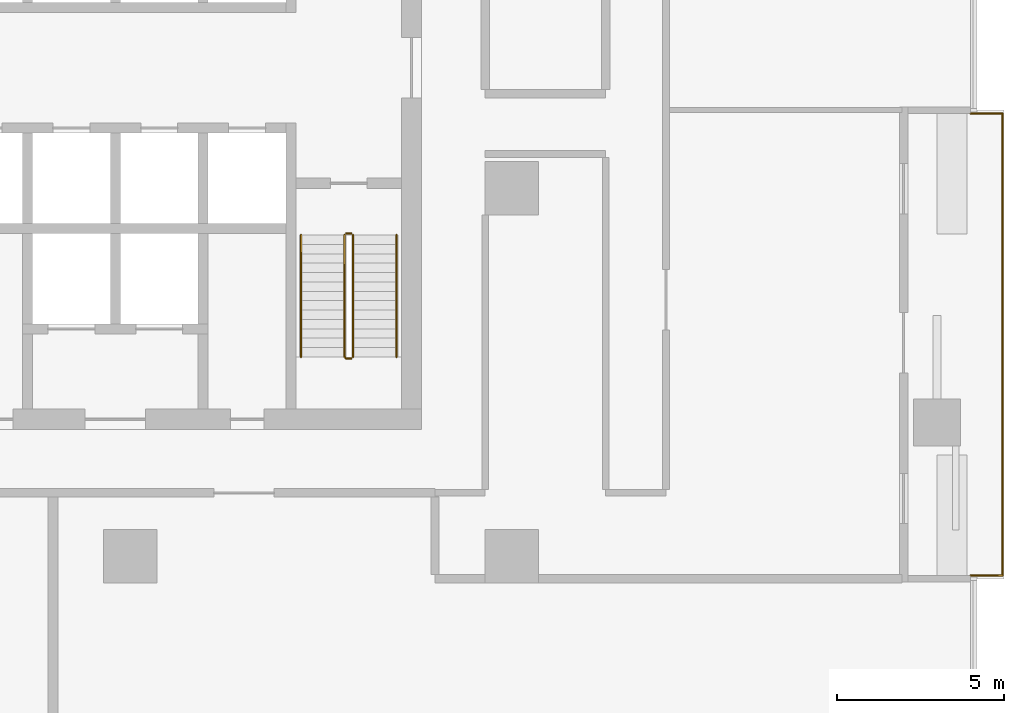
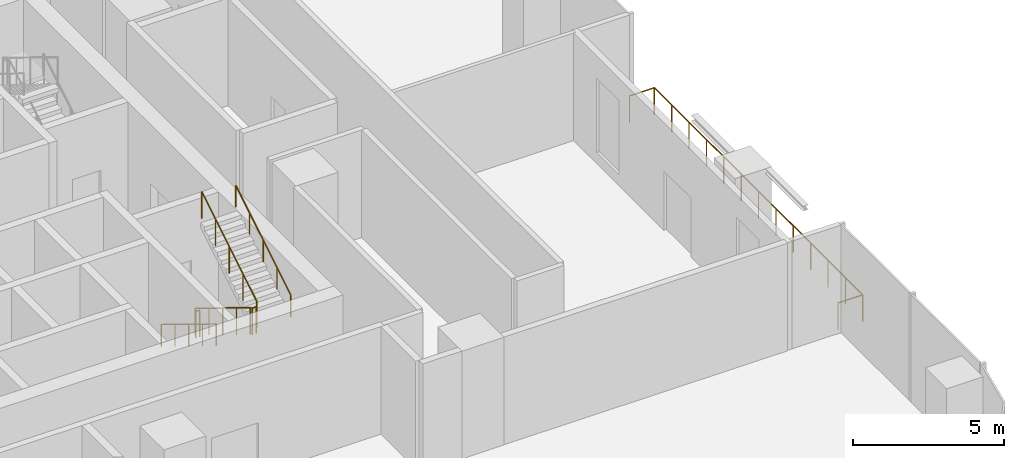
# One storey, part 13 of 14: 6 railings.
"""IFC4 building model written with IfcOpenShell, lengths in metres."""

import ifcopenshell
import ifcopenshell.guid

model = None  # the IFC model being written
_history = None  # IfcOwnerHistory: only IFC2X3 demands one
_inside = {}  # id of a spatial element -> (the spatial element, [elements in it])
_under = {}  # id of a project, library or spatial element -> (it, [spatial elements below it])
_declared = {}  # id of a project -> (the project, [libraries it declares])
_typed = {}  # id of a type object -> (the type object, [elements of that type])
_made_of = {}  # id of a material, layer set ... -> (it, [elements and type objects made of it])


def new_model(schema):
    """Start an empty IFC model of exactly this schema.

    Asked for "IFC4X3", IfcOpenShell would pick the latest addendum, in which some entities
    have other attributes; the version numbers below select the first issue.
    IFC2X3 requires an IfcOwnerHistory on every rooted entity: one is made here for all.
    """
    global model, _history
    if schema == "IFC4X3":
        model = ifcopenshell.file(schema_version=(4, 3, 0, 0))
    else:
        model = ifcopenshell.file(schema=schema)
    _inside.clear()
    _under.clear()
    _declared.clear()
    _typed.clear()
    _made_of.clear()
    _history = None
    if model.schema == "IFC2X3":
        org = make("IfcOrganization", Name="unknown")
        user = make(
            "IfcPersonAndOrganization",
            ThePerson=make("IfcPerson", FamilyName="unknown"),
            TheOrganization=org,
        )
        app = make(
            "IfcApplication",
            ApplicationDeveloper=org,
            Version="unknown",
            ApplicationFullName="unknown",
            ApplicationIdentifier="unknown",
        )
        _history = make(
            "IfcOwnerHistory",
            OwningUser=user,
            OwningApplication=app,
            ChangeAction="ADDED",
            CreationDate=0,
        )
    return model


def make(cls, **values):
    """One entity of the class cls with the attributes given. An attribute that is None is left unset."""
    return model.create_entity(
        cls, **{name: value for name, value in values.items() if value is not None}
    )


def rooted(cls, **values):
    """An entity with a GlobalId (a new one), such as an element, a storey or a relation."""
    return make(cls, GlobalId=ifcopenshell.guid.new(), OwnerHistory=_history, **values)


def si_unit(unit_type, name, prefix=None):
    """IfcSIUnit, for example si_unit("LENGTHUNIT", "METRE", prefix="MILLI")."""
    return make("IfcSIUnit", UnitType=unit_type, Prefix=prefix, Name=name)


def assignment(units):
    """IfcUnitAssignment: the units of a project."""
    return None if units is None else make("IfcUnitAssignment", Units=units)


def point(xyz):
    """IfcCartesianPoint."""
    return None if xyz is None else make("IfcCartesianPoint", Coordinates=xyz)


def direction(xyz):
    """IfcDirection."""
    return None if xyz is None else make("IfcDirection", DirectionRatios=xyz)


def frame(location, z_axis=None, x_axis=None):
    """IfcAxis2Placement3D, a coordinate frame: its origin and axes. An axis left out is left unset."""
    return make(
        "IfcAxis2Placement3D",
        Location=point(location),
        Axis=direction(z_axis),
        RefDirection=direction(x_axis),
    )


def frame_2d(location, x_axis=None):
    """IfcAxis2Placement2D, a coordinate frame in the plane: its origin and x axis."""
    return make(
        "IfcAxis2Placement2D", Location=point(location), RefDirection=direction(x_axis)
    )


def origin():
    """The frame at (0, 0, 0) with its axes left unset."""
    return frame((0.0, 0.0, 0.0))


def origin_2d():
    """The frame at (0, 0) in the plane with its x axis left unset."""
    return frame_2d((0.0, 0.0))


def place(relative_to, where):
    """IfcLocalPlacement: puts the frame where relative to a parent placement (None: the world)."""
    return make(
        "IfcLocalPlacement", PlacementRelTo=relative_to, RelativePlacement=where
    )


def context(
    kind, dimensions, precision=None, world=None, true_north=None, identifier=None
):
    """IfcGeometricRepresentationContext, for example the 3D "Model" context."""
    return make(
        "IfcGeometricRepresentationContext",
        ContextIdentifier=identifier,
        ContextType=kind,
        CoordinateSpaceDimension=dimensions,
        Precision=precision,
        WorldCoordinateSystem=world,
        TrueNorth=true_north,
    )


def subcontext(parent, identifier, kind, view, scale=None):
    """IfcGeometricRepresentationSubContext, for example "Body" below "Model"."""
    return make(
        "IfcGeometricRepresentationSubContext",
        ContextIdentifier=identifier,
        ContextType=kind,
        ParentContext=parent,
        TargetScale=scale,
        TargetView=view,
    )


def project(units=None, contexts=None):
    """IfcProject with its units and contexts."""
    return rooted(
        "IfcProject",
        Name="project",
        RepresentationContexts=contexts,
        UnitsInContext=assignment(units),
    )


def spatial(cls, under=None, at=None, **own):
    """A site, building, storey or space (cls), placed at a placement, below another one or the project."""
    s = rooted(cls, ObjectPlacement=at, **own)
    if under is not None:
        _under.setdefault(under.id(), (under, []))[1].append(s)
    return s


def profile(cls, at=None, kind="AREA", **sizes):
    """A parametric profile (cls). Its sizes go by their IFC names, for example OverallWidth=200.0."""
    return make(cls, ProfileType=kind, Position=at, **sizes)


def circle(**sizes):
    """IfcCircleProfileDef."""
    return profile("IfcCircleProfileDef", **sizes)


def extrude(swept, where, along, depth):
    """IfcExtrudedAreaSolid: the profile swept, set in the frame where, extruded along a direction by depth."""
    return make(
        "IfcExtrudedAreaSolid",
        SweptArea=swept,
        Position=where,
        ExtrudedDirection=direction(along),
        Depth=depth,
    )


def shape(context_of_items, identifier, shape_type, items):
    """IfcShapeRepresentation: the items that make up one representation, for example the "Body"."""
    return make(
        "IfcShapeRepresentation",
        ContextOfItems=context_of_items,
        RepresentationIdentifier=identifier,
        RepresentationType=shape_type,
        Items=items,
    )


def material(Name=None, Category=None):
    """IfcMaterial."""
    return make("IfcMaterial", Name=Name, Category=Category)


def made_of(thing, what):
    """Note that an element or type object is made of a material, layer set ...; save() writes the relation."""
    if what is not None:
        _made_of.setdefault(what.id(), (what, []))[1].append(thing)
    return thing


def type_object(cls, material=None, **own):
    """A type object (cls), such as IfcWallType, which elements share."""
    return made_of(rooted(cls, **own), material)


def element(
    cls,
    number,
    at=None,
    inside=None,
    cuts=None,
    type_object=None,
    material=None,
    context=None,
    identifier="Body",
    shape_type=None,
    held_by="IfcProductDefinitionShape",
    body=None,
    shapes=None,
    **own,
):
    """One element of the class cls, such as IfcWall. Its Tag is "e" and its number.

    at: its placement. inside: the storey or other place that contains it. cuts: it is an
    opening in that element (IfcRelVoidsElement). A single representation is given by context,
    identifier, shape_type and body (its items); several are given by shapes. held_by: the class
    of the entity that holds the representations. save() writes the other relations.
    """
    e = rooted(cls, Tag="e%d" % number, ObjectPlacement=at, **own)
    if body is not None:
        shapes = [shape(context, identifier, shape_type, body)]
    if shapes is not None:
        e.Representation = make(held_by, Representations=shapes)
    if inside is not None:
        _inside.setdefault(inside.id(), (inside, []))[1].append(e)
    if cuts is not None:
        rooted(
            "IfcRelVoidsElement", RelatingBuildingElement=cuts, RelatedOpeningElement=e
        )
    if type_object is not None:
        _typed.setdefault(type_object.id(), (type_object, []))[1].append(e)
    return made_of(e, material)


def aggregate(whole, parts):
    """IfcRelAggregates: a whole, such as a stair, and the parts it consists of."""
    return rooted("IfcRelAggregates", RelatingObject=whole, RelatedObjects=parts)


def save(model, path):
    """Write the relations noted so far, then the file.

    IfcRelAggregates (storeys below a building ...), IfcRelContainedInSpatialStructure (elements
    in a storey), IfcRelDefinesByType, IfcRelAssociatesMaterial and IfcRelDeclares: one each for
    every whole, place, type object, material and project.
    """
    for whole, parts in _under.values():
        aggregate(whole, parts)
    for where, things in _inside.values():
        rooted(
            "IfcRelContainedInSpatialStructure",
            RelatedElements=things,
            RelatingStructure=where,
        )
    for kind, things in _typed.values():
        rooted("IfcRelDefinesByType", RelatedObjects=things, RelatingType=kind)
    for what, things in _made_of.values():
        rooted("IfcRelAssociatesMaterial", RelatedObjects=things, RelatingMaterial=what)
    for by, libraries in _declared.values():
        rooted("IfcRelDeclares", RelatingContext=by, RelatedDefinitions=libraries)
    model.write(path)


model = new_model("IFC4")

# Units and contexts
model_context = context("Model", 3, precision=1e-05, world=origin(), true_north=direction((0.0, 1.0)))
body_context = subcontext(model_context, "Body", "Model", "MODEL_VIEW")
ifc_project = project(units=[si_unit("LENGTHUNIT", "METRE"), si_unit("AREAUNIT", "SQUARE_METRE"), si_unit("VOLUMEUNIT", "CUBIC_METRE"), si_unit("PLANEANGLEUNIT", "RADIAN"), si_unit("MASSUNIT", "GRAM", prefix="KILO")], contexts=[model_context])

# Site, building, storey
site_placement = place(None, origin())
site = spatial("IfcSite", under=ifc_project, at=site_placement, CompositionType="ELEMENT")
building_placement = place(site_placement, origin())
building = spatial("IfcBuilding", under=site, at=building_placement, Name="Mopane Tessera Tower", CompositionType="ELEMENT")
storey_placement = place(building_placement, frame((0.0, 0.0, 35.800048828125)))
storey = spatial("IfcBuildingStorey", under=building, at=storey_placement, Name="L06", CompositionType="ELEMENT", Elevation=35.800048828125)

# Railings
ifc_material_1 = material(Name="Powder-coated steel balustrade", Category="steel")
railing_type_1 = type_object("IfcRailingType", Name="Escape stair guard 1100 mm", PredefinedType="GUARDRAIL", material=ifc_material_1)
railing_1_placement = place(storey_placement, frame((12.10009765625, -1.39990234375, 0.17138671875)))
element("IfcRailing", 1, at=railing_1_placement, inside=storey, type_object=railing_type_1, Name="L06 ST3 stair guard 1", PredefinedType="GUARDRAIL", context=body_context, shape_type="SweptSolid", body=[
    extrude(circle(Radius=0.02392578125, at=origin_2d()), frame((0.0, 0.0, 1.076171875), z_axis=(0.0, -0.852865859571, 0.52213008492), x_axis=(1.0, 0.0, 0.0)), (0.0, 0.0, 1.0), 4.26806640625),
    extrude(circle(Radius=0.02392578125, at=origin_2d()), frame((0.0, -3.64013671875, 3.3046875), z_axis=(0.705375805398, -0.708833529934, 0.0), x_axis=(0.708833529934, 0.705375805398, 0.0)), (0.0, 0.0, 1.0), 0.070556640625),
    extrude(circle(Radius=0.02392578125, at=origin_2d()), frame((0.0498046875, -3.690185546875, 3.3046875), z_axis=(1.0, 0.0, 0.0), x_axis=(0.0, 1.0, 0.0)), (0.0, 0.0, 1.0), 0.150146484375),
    extrude(circle(Radius=0.02099609375, at=origin_2d()), origin(), (0.0, 0.0, 1.0), 1.052001953125),
    extrude(circle(Radius=0.02099609375, at=origin_2d()), frame((0.0, -0.91015625, 0.55712890625)), (0.0, 0.0, 1.0), 1.052001953125),
    extrude(circle(Radius=0.02099609375, at=origin_2d()), frame((0.0, -1.820068359375, 1.1142578125)), (0.0, 0.0, 1.0), 1.052001953125),
    extrude(circle(Radius=0.02099609375, at=origin_2d()), frame((0.0, -2.72998046875, 1.67138671875)), (0.0, 0.0, 1.0), 1.052001953125),
    extrude(circle(Radius=0.02099609375, at=origin_2d()), frame((0.0, -3.64013671875, 2.228515625)), (0.0, 0.0, 1.0), 1.052001953125),
    extrude(circle(Radius=0.02099609375, at=origin_2d()), frame((0.0498046875, -3.690185546875, 2.228515625)), (0.0, 0.0, 1.0), 1.052001953125),
    extrude(circle(Radius=0.02099609375, at=origin_2d()), frame((0.199951171875, -3.690185546875, 2.228515625)), (0.0, 0.0, 1.0), 1.052001953125),
])
railing_2_placement = place(storey_placement, frame((12.35009765625, -5.0400390625, 2.5712890625)))
element("IfcRailing", 2, at=railing_2_placement, inside=storey, type_object=railing_type_1, Name="L06 ST3 stair guard 2", PredefinedType="GUARDRAIL", context=body_context, shape_type="SweptSolid", body=[
    extrude(circle(Radius=0.02392578125, at=origin_2d()), frame((0.0, 0.0, 1.076171875), z_axis=(0.0, 0.852840387347, 0.522171689878), x_axis=(-1.0, 0.0, 0.0)), (0.0, 0.0, 1.0), 4.268310546875),
    extrude(circle(Radius=0.02099609375, at=origin_2d()), origin(), (0.0, 0.0, 1.0), 1.052001953125),
    extrude(circle(Radius=0.02099609375, at=origin_2d()), frame((0.0, 0.91015625, 0.55712890625)), (0.0, 0.0, 1.0), 1.052001953125),
    extrude(circle(Radius=0.02099609375, at=origin_2d()), frame((0.0, 1.820068359375, 1.1142578125)), (0.0, 0.0, 1.0), 1.052001953125),
    extrude(circle(Radius=0.02099609375, at=origin_2d()), frame((0.0, 2.72998046875, 1.671630859375)), (0.0, 0.0, 1.0), 1.052001953125),
    extrude(circle(Radius=0.02099609375, at=origin_2d()), frame((0.0, 3.64013671875, 2.228759765625)), (0.0, 0.0, 1.0), 1.052001953125),
])
railing_3_placement = place(storey_placement, frame((12.14990234375, -1.35009765625, 0.0)))
element("IfcRailing", 3, at=railing_3_placement, inside=storey, type_object=railing_type_1, Name="L06 ST3 stair guard 3", PredefinedType="GUARDRAIL", context=body_context, shape_type="SweptSolid", body=[
    extrude(circle(Radius=0.02392578125, at=origin_2d()), frame((0.0, 0.0, 1.076171875), z_axis=(1.0, 0.0, 0.0), x_axis=(0.0, 1.0, 0.0)), (0.0, 0.0, 1.0), 0.150146484375),
    extrude(circle(Radius=0.02099609375, at=origin_2d()), origin(), (0.0, 0.0, 1.0), 1.052001953125),
    extrude(circle(Radius=0.02099609375, at=origin_2d()), frame((0.150146484375, 0.0, 0.0)), (0.0, 0.0, 1.0), 1.052001953125),
])
ifc_material_2 = material(Name="Powder-coated steel balustrade", Category="steel")
railing_type_2 = type_object("IfcRailingType", Name="Escape stair handrail 900 mm", PredefinedType="HANDRAIL", material=ifc_material_2)
railing_4_placement = place(storey_placement, frame((10.800048828125, -1.39990234375, 0.17138671875)))
element("IfcRailing", 4, at=railing_4_placement, inside=storey, type_object=railing_type_2, Name="L06 ST3 stair handrail 1", PredefinedType="HANDRAIL", context=body_context, shape_type="SweptSolid", body=[
    extrude(circle(Radius=0.02392578125, at=origin_2d()), frame((0.0, 0.0, 0.8759765625), z_axis=(0.0, -0.852865859571, 0.52213008492), x_axis=(1.0, 0.0, 0.0)), (0.0, 0.0, 1.0), 4.26806640625),
    extrude(circle(Radius=0.02099609375, at=origin_2d()), origin(), (0.0, 0.0, 1.0), 0.851806640625),
    extrude(circle(Radius=0.02099609375, at=origin_2d()), frame((0.0, -0.91015625, 0.55712890625)), (0.0, 0.0, 1.0), 0.851806640625),
    extrude(circle(Radius=0.02099609375, at=origin_2d()), frame((0.0, -1.820068359375, 1.1142578125)), (0.0, 0.0, 1.0), 0.851806640625),
    extrude(circle(Radius=0.02099609375, at=origin_2d()), frame((0.0, -2.72998046875, 1.67138671875)), (0.0, 0.0, 1.0), 0.851806640625),
    extrude(circle(Radius=0.02099609375, at=origin_2d()), frame((0.0, -3.64013671875, 2.228515625)), (0.0, 0.0, 1.0), 0.851806640625),
])
railing_5_placement = place(storey_placement, frame((13.64990234375, -5.0400390625, 2.5712890625)))
element("IfcRailing", 5, at=railing_5_placement, inside=storey, type_object=railing_type_2, Name="L06 ST3 stair handrail 2", PredefinedType="HANDRAIL", context=body_context, shape_type="SweptSolid", body=[
    extrude(circle(Radius=0.02392578125, at=origin_2d()), frame((0.0, 0.0, 0.8759765625), z_axis=(0.0, 0.852840387347, 0.522171689878), x_axis=(-1.0, 0.0, 0.0)), (0.0, 0.0, 1.0), 4.268310546875),
    extrude(circle(Radius=0.02099609375, at=origin_2d()), origin(), (0.0, 0.0, 1.0), 0.851806640625),
    extrude(circle(Radius=0.02099609375, at=origin_2d()), frame((0.0, 0.91015625, 0.55712890625)), (0.0, 0.0, 1.0), 0.851806640625),
    extrude(circle(Radius=0.02099609375, at=origin_2d()), frame((0.0, 1.820068359375, 1.1142578125)), (0.0, 0.0, 1.0), 0.851806640625),
    extrude(circle(Radius=0.02099609375, at=origin_2d()), frame((0.0, 2.72998046875, 1.671630859375)), (0.0, 0.0, 1.0), 0.851806640625),
    extrude(circle(Radius=0.02099609375, at=origin_2d()), frame((0.0, 3.64013671875, 2.228759765625)), (0.0, 0.0, 1.0), 0.851806640625),
])
ifc_material_3 = material(Name="Stainless steel S316", Category="steel")
railing_type_3 = type_object("IfcRailingType", Name="Terrace guard 1100", PredefinedType="GUARDRAIL", material=ifc_material_3)
railing_6_placement = place(storey_placement, frame((30.800048828125, -11.566650390625, 0.0)))
element("IfcRailing", 6, at=railing_6_placement, inside=storey, type_object=railing_type_3, Name="e:nw:L06:N1:guard", PredefinedType="GUARDRAIL", context=body_context, shape_type="SweptSolid", body=[
    extrude(circle(Radius=0.02392578125, at=origin_2d()), frame((0.0, 0.0, 1.076171875), z_axis=(1.0, 0.0, 0.0), x_axis=(0.0, 1.0, 0.0)), (0.0, 0.0, 1.0), 0.949951171875),
    extrude(circle(Radius=0.02392578125, at=origin_2d()), frame((0.949951171875, 0.0, 1.076171875), z_axis=(0.0, 1.0, 0.0), x_axis=(-1.0, 0.0, 0.0)), (0.0, 0.0, 1.0), 13.800048828125),
    extrude(circle(Radius=0.02392578125, at=origin_2d()), frame((0.949951171875, 13.800048828125, 1.076171875), z_axis=(-1.0, 0.0, 0.0), x_axis=(0.0, -1.0, 0.0)), (0.0, 0.0, 1.0), 0.949951171875),
    extrude(circle(Radius=0.02099609375, at=origin_2d()), origin(), (0.0, 0.0, 1.0), 1.052001953125),
    extrude(circle(Radius=0.02099609375, at=origin_2d()), frame((0.949951171875, 0.0, 0.0)), (0.0, 0.0, 1.0), 1.052001953125),
    extrude(circle(Radius=0.02099609375, at=origin_2d()), frame((0.949951171875, 1.14990234375, 0.0)), (0.0, 0.0, 1.0), 1.052001953125),
    extrude(circle(Radius=0.02099609375, at=origin_2d()), frame((0.949951171875, 2.300048828125, 0.0)), (0.0, 0.0, 1.0), 1.052001953125),
    extrude(circle(Radius=0.02099609375, at=origin_2d()), frame((0.949951171875, 3.449951171875, 0.0)), (0.0, 0.0, 1.0), 1.052001953125),
    extrude(circle(Radius=0.02099609375, at=origin_2d()), frame((0.949951171875, 4.60009765625, 0.0)), (0.0, 0.0, 1.0), 1.052001953125),
    extrude(circle(Radius=0.02099609375, at=origin_2d()), frame((0.949951171875, 5.75, 0.0)), (0.0, 0.0, 1.0), 1.052001953125),
    extrude(circle(Radius=0.02099609375, at=origin_2d()), frame((0.949951171875, 6.89990234375, 0.0)), (0.0, 0.0, 1.0), 1.052001953125),
    extrude(circle(Radius=0.02099609375, at=origin_2d()), frame((0.949951171875, 8.050048828125, 0.0)), (0.0, 0.0, 1.0), 1.052001953125),
    extrude(circle(Radius=0.02099609375, at=origin_2d()), frame((0.949951171875, 9.199951171875, 0.0)), (0.0, 0.0, 1.0), 1.052001953125),
    extrude(circle(Radius=0.02099609375, at=origin_2d()), frame((0.949951171875, 10.35009765625, 0.0)), (0.0, 0.0, 1.0), 1.052001953125),
    extrude(circle(Radius=0.02099609375, at=origin_2d()), frame((0.949951171875, 11.5, 0.0)), (0.0, 0.0, 1.0), 1.052001953125),
    extrude(circle(Radius=0.02099609375, at=origin_2d()), frame((0.949951171875, 12.650146484375, 0.0)), (0.0, 0.0, 1.0), 1.052001953125),
    extrude(circle(Radius=0.02099609375, at=origin_2d()), frame((0.949951171875, 13.800048828125, 0.0)), (0.0, 0.0, 1.0), 1.052001953125),
    extrude(circle(Radius=0.02099609375, at=origin_2d()), frame((0.0, 13.800048828125, 0.0)), (0.0, 0.0, 1.0), 1.052001953125),
])

save(model, "model.ifc")
